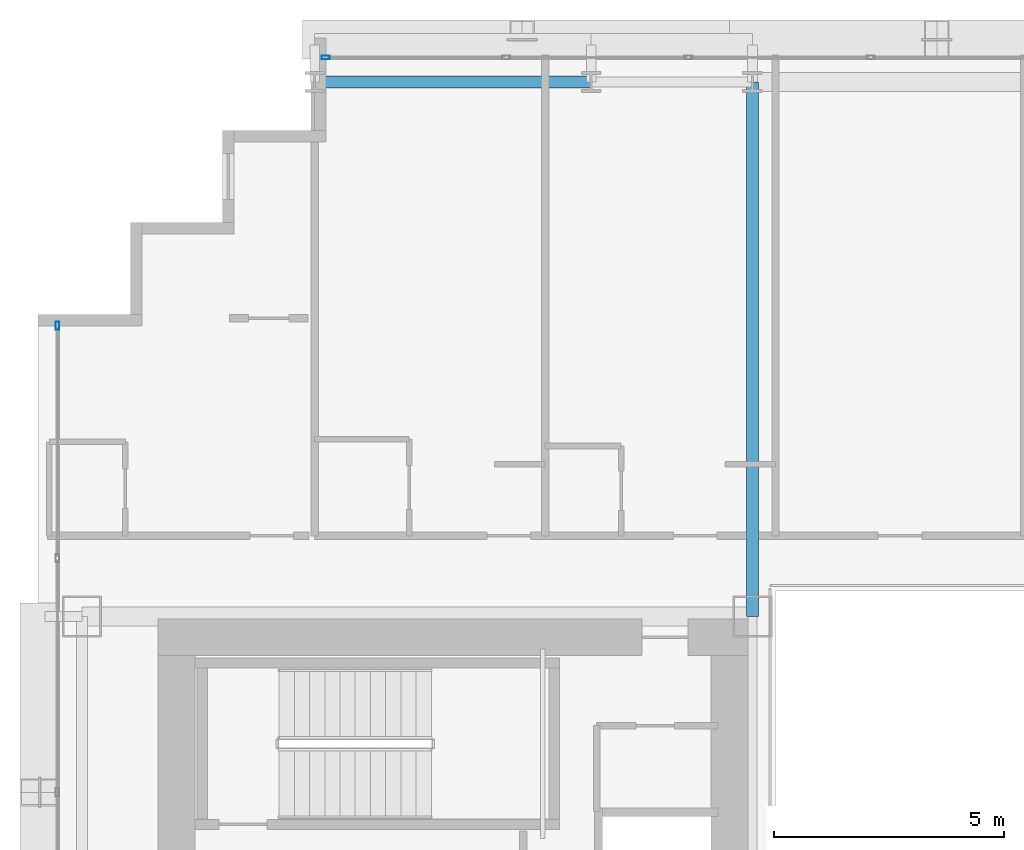
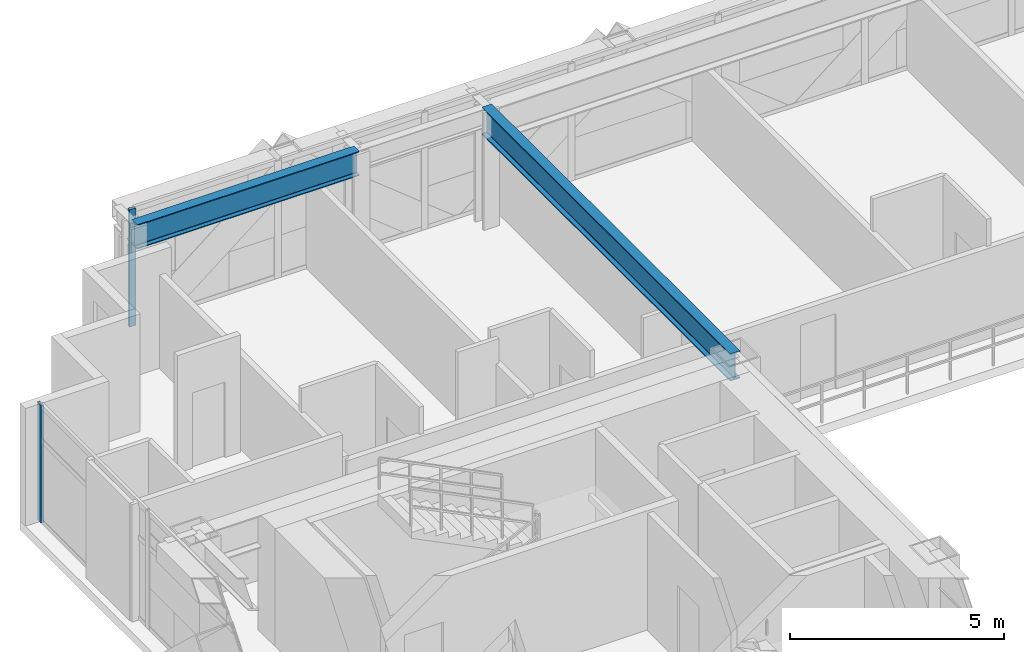
# One storey, part 17 of 35: 2 beams, 2 members, 2 elements without a shape of their own.
"""IFC4 building model written with IfcOpenShell, lengths in metres."""

from ifc_helpers import new_model, si_unit, direction, frame, origin, origin_2d, place, context, subcontext, project, spatial, hollow_rectangle, i_section, extrude, source, transform, mapped, material, layer, layer_set, material_profile, profile_set, type_object, element, aggregate, save


model = new_model("IFC4")

# Units and contexts
model_context = context("Model", 3, precision=1e-05, world=origin(), true_north=direction((0.0, 1.0)))
body_context = subcontext(model_context, "Body", "Model", "MODEL_VIEW")
ifc_project = project(units=[si_unit("LENGTHUNIT", "METRE"), si_unit("AREAUNIT", "SQUARE_METRE"), si_unit("VOLUMEUNIT", "CUBIC_METRE"), si_unit("PLANEANGLEUNIT", "RADIAN"), si_unit("MASSUNIT", "GRAM", prefix="KILO")], contexts=[model_context])

# Site, building, storey
site_placement = place(None, origin())
site = spatial("IfcSite", under=ifc_project, at=site_placement, CompositionType="ELEMENT")
building_placement = place(site_placement, origin())
building = spatial("IfcBuilding", under=site, at=building_placement, Name="Ocotamira Hotel", CompositionType="ELEMENT")
storey_placement = place(building_placement, frame((0.0, 0.0, 70.800048828125)))
storey = spatial("IfcBuildingStorey", under=building, at=storey_placement, Name="L17", CompositionType="ELEMENT", Elevation=70.800048828125)

# Beams
ifc_material_1 = material(Name="Steel ASTM A992 Grade 50", Category="steel")
ifc_material_profile_1 = material_profile(ifc_material_1, i_section(OverallWidth=0.256103515625, OverallDepth=0.693115234375, WebThickness=0.014404296875, FlangeThickness=0.023681640625, FilletRadius=0.01611328125, at=origin_2d()), Name="W27X114")
ifc_profile_set_1 = profile_set([ifc_material_profile_1], Name="Steel ASTM A992 Grade 50")
beam_type_1 = type_object("IfcBeamType", Name="BM-PRIM-W27X114", PredefinedType="BEAM", material=ifc_profile_set_1)
shared_shape_1 = source(origin(), body_context, "Body", "SweptSolid", [
    extrude(i_section(OverallWidth=0.256103515625, OverallDepth=0.693115234375, WebThickness=0.014404296875, FlangeThickness=0.023681640625, FilletRadius=0.01611328125, at=origin_2d()), origin(), (0.0, 0.0, 1.0), 6.0),
])
beam_1_placement = place(storey_placement, frame((14.0, 49.050048828125, 3.00341796875), z_axis=(1.0, 0.0, 0.0), x_axis=(0.0, 1.0, 0.0)))
element("IfcBeam", 1, at=beam_1_placement, inside=storey, type_object=beam_type_1, Name="L17 Girder Y49.05 X14-20", PredefinedType="BEAM", context=body_context, shape_type="MappedRepresentation", body=[
    mapped(shared_shape_1, transform((0.0, 0.0, 0.0), scale=1.0)),
])
ifc_material_profile_2 = material_profile(ifc_material_1, i_section(OverallWidth=0.26611328125, OverallDepth=0.779052734375, WebThickness=0.0166015625, FlangeThickness=0.030029296875, FilletRadius=0.01806640625, at=origin_2d()), Name="W30X148")
ifc_profile_set_2 = profile_set([ifc_material_profile_2], Name="Steel ASTM A992 Grade 50")
beam_type_2 = type_object("IfcBeamType", Name="BM-GIRD-W30X148", PredefinedType="BEAM", material=ifc_profile_set_2)
shared_shape_2 = source(origin(), body_context, "Body", "SweptSolid", [
    extrude(i_section(OverallWidth=0.26611328125, OverallDepth=0.779052734375, WebThickness=0.0166015625, FlangeThickness=0.030029296875, FilletRadius=0.01806640625, at=origin_2d()), origin(), (0.0, 0.0, 1.0), 11.60009765625),
])
beam_2_placement = place(storey_placement, frame((23.5, 37.449951171875, 2.96044921875), z_axis=(0.0, 1.0, 0.0), x_axis=(-1.0, 0.0, 0.0)))
element("IfcBeam", 2, at=beam_2_placement, inside=storey, type_object=beam_type_2, Name="L17 Beam X23.5 Y37.45-49.05", PredefinedType="BEAM", context=body_context, shape_type="MappedRepresentation", body=[
    mapped(shared_shape_2, transform((0.0, 0.0, 0.0), scale=1.0)),
])

# Curtain wall, member
ifc_material_2 = material(Name="Anodised pale-metal aluminium and solar glass", Category="aluminium")
ifc_layer = layer(ifc_material_2, 0.179931640625)
ifc_layer_set = layer_set([ifc_layer], Name="Anodised pale-metal aluminium and solar glass")
curtain_wall_type = type_object("IfcCurtainWallType", Name="CW-SYS2-Z1", PredefinedType="NOTDEFINED", material=ifc_layer_set)
curtain_wall_1_placement = place(storey_placement, origin())
curtain_wall_1 = element("IfcCurtainWall", 3, at=curtain_wall_1_placement, inside=storey, type_object=curtain_wall_type, Name="L17 Curtain Wall CW-2 CW-L17-N", PredefinedType="NOTDEFINED")
ifc_material_3 = material(Name="Anodised pale-metal aluminium 6063-T6", Category="aluminium")
ifc_material_profile_3 = material_profile(ifc_material_3, hollow_rectangle(XDim=0.080078125, YDim=0.179931640625, WallThickness=0.006103515625, at=origin_2d()), Name="HSS180X80X6")
ifc_profile_set_3 = profile_set([ifc_material_profile_3], Name="Anodised pale-metal aluminium 6063-T6")
member_type = type_object("IfcMemberType", Name="CWM-180X75", PredefinedType="MULLION", material=ifc_profile_set_3)
shared_shape_3 = source(origin(), body_context, "Body", "SweptSolid", [
    extrude(hollow_rectangle(XDim=0.080078125, YDim=0.179931640625, WallThickness=0.006103515625, at=origin_2d()), origin(), (0.0, 0.0, 1.0), 3.349853515625),
])
member_1_placement = place(storey_placement, frame((14.239990234375, 49.580078125, 0.0), z_axis=(0.0, 0.0, 1.0), x_axis=(0.0, 1.0, 0.0)))
member_1 = element("IfcMember", 4, at=member_1_placement, type_object=member_type, Name="CW-2 mullion 1", PredefinedType="MULLION", context=body_context, shape_type="MappedRepresentation", body=[
    mapped(shared_shape_3, transform((0.0, 0.0, 0.0), scale=1.0)),
])
aggregate(curtain_wall_1, [member_1])

curtain_wall_2_placement = place(storey_placement, origin())
curtain_wall_2 = element("IfcCurtainWall", 5, at=curtain_wall_2_placement, inside=storey, type_object=curtain_wall_type, Name="L17 Curtain Wall CW-2 CW-L17-W", PredefinedType="NOTDEFINED")
member_2_placement = place(storey_placement, frame((8.419921875, 43.760009765625, 0.0), z_axis=(0.0, 0.0, 1.0), x_axis=(-1.0, 0.0, 0.0)))
member_2 = element("IfcMember", 6, at=member_2_placement, type_object=member_type, Name="CW-2 mullion 8", PredefinedType="MULLION", context=body_context, shape_type="MappedRepresentation", body=[
    mapped(shared_shape_3, transform((0.0, 0.0, 0.0), scale=1.0)),
])
aggregate(curtain_wall_2, [member_2])

save(model, "model.ifc")
